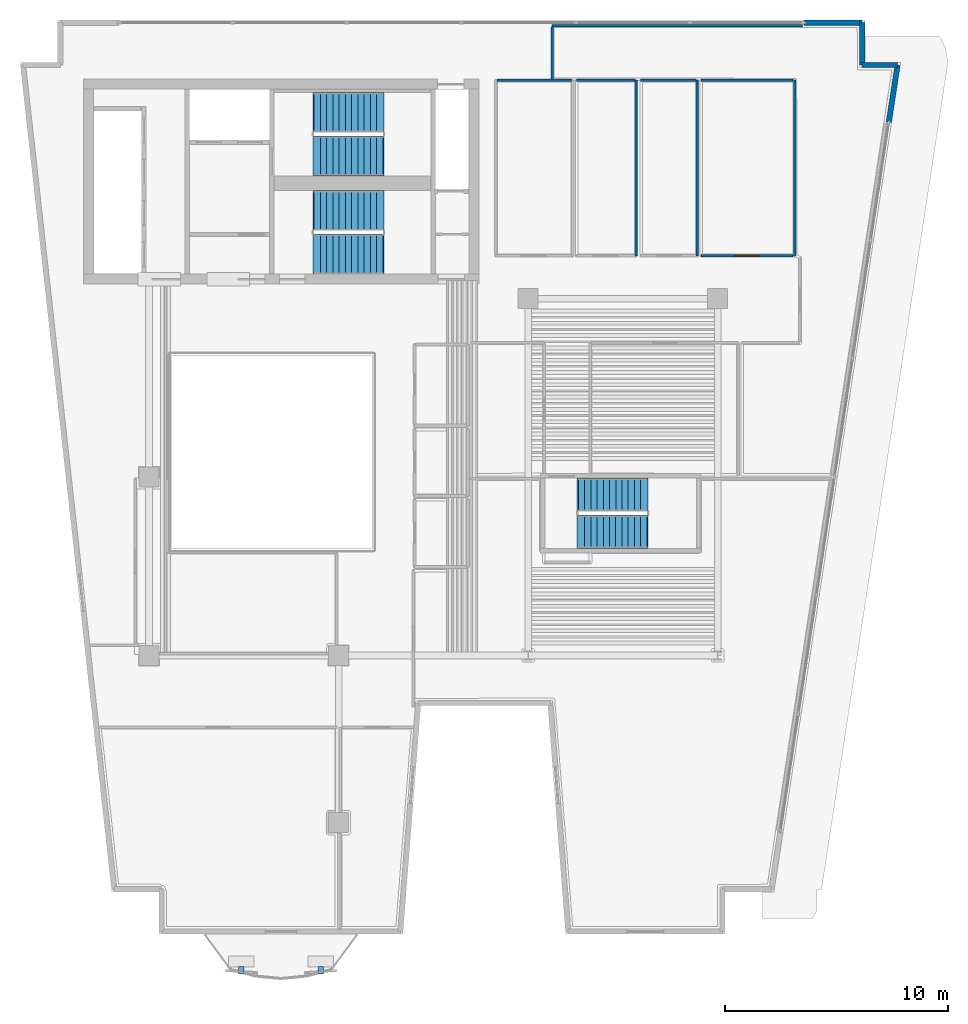
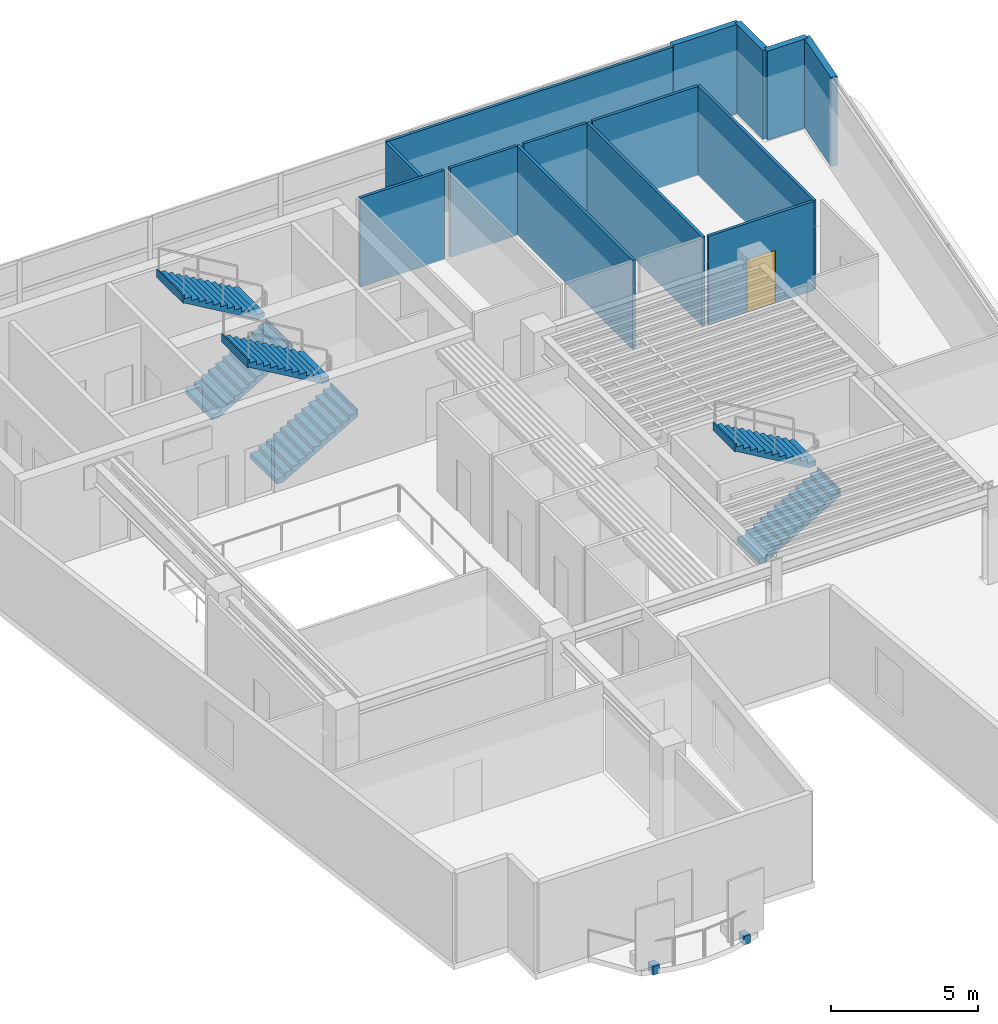
# One storey, part 6 of 8: 14 walls, 6 stair flights, 2 discrete accessories, 1 door, 1 opening, 3 elements without a shape of their own.
"""IFC4 building model written with IfcOpenShell, lengths in metres."""

from ifc_helpers import new_model, si_unit, direction, frame, frame_2d, origin, origin_2d, place, context, subcontext, project, spatial, polyline, rectangle, outline, extrude, material, layer, layer_set, type_object, element, fill, aggregate, save


model = new_model("IFC4")

# Units and contexts
model_context = context("Model", 3, precision=1e-05, world=origin(), true_north=direction((0.0, 1.0)))
body_context = subcontext(model_context, "Body", "Model", "MODEL_VIEW")
ifc_project = project(units=[si_unit("LENGTHUNIT", "METRE"), si_unit("AREAUNIT", "SQUARE_METRE"), si_unit("VOLUMEUNIT", "CUBIC_METRE"), si_unit("PLANEANGLEUNIT", "RADIAN"), si_unit("MASSUNIT", "GRAM", prefix="KILO")], contexts=[model_context])

# Site, building, storey
site_placement = place(None, origin())
site = spatial("IfcSite", under=ifc_project, at=site_placement, CompositionType="ELEMENT")
building_placement = place(site_placement, origin())
building = spatial("IfcBuilding", under=site, at=building_placement, Name="Caeloran Harvest Quay", CompositionType="ELEMENT")
storey_placement = place(building_placement, frame((0.0, 0.0, 235.10009765625)))
storey = spatial("IfcBuildingStorey", under=building, at=storey_placement, Name="L56", CompositionType="ELEMENT", Elevation=235.10009765625)

# Walls
ifc_material_1 = material(Name="Precast concrete C50/60", Category="concrete")
ifc_layer_1 = layer(ifc_material_1, 0.239990234375, Name="Precast concrete C50/60")
ifc_layer_set_1 = layer_set([ifc_layer_1], Name="Precast concrete C50/60")
wall_type_1 = type_object("IfcWallType", Name="ENV-WALL-EW-240", PredefinedType="STANDARD", material=ifc_layer_set_1)
wall_1_placement = place(storey_placement, frame((37.8798828125, 43.3798828125, 0.0), z_axis=(0.0, 0.0, 1.0), x_axis=(1.0, 0.0, 0.0)))
element("IfcWall", 1, at=wall_1_placement, inside=storey, type_object=wall_type_1, Name="L56 Exterior Facade Corner Pier Wall 6B", PredefinedType="STANDARD", context=body_context, shape_type="SweptSolid", body=[
    extrude(rectangle(XDim=2.60009765625, YDim=0.239990234375, at=frame_2d((1.300048828125, 0.0))), origin(), (0.0, 0.0, 1.0), 3.699951171875),
])
wall_2_placement = place(storey_placement, frame((40.47998046875, 43.3798828125, 0.0), z_axis=(0.0, 0.0, 1.0), x_axis=(0.0, -1.0, 0.0)))
element("IfcWall", 2, at=wall_2_placement, inside=storey, type_object=wall_type_1, Name="L56 Exterior Precast Concrete Facade Wall 7", PredefinedType="STANDARD", context=body_context, shape_type="SweptSolid", body=[
    extrude(rectangle(XDim=1.89990234375, YDim=0.239990234375, at=frame_2d((0.949951171875, 0.0))), origin(), (0.0, 0.0, 1.0), 3.699951171875),
])
wall_3_placement = place(storey_placement, frame((40.47998046875, 41.47998046875, 0.0), z_axis=(0.0, 0.0, 1.0), x_axis=(1.0, 0.0, 0.0)))
element("IfcWall", 3, at=wall_3_placement, inside=storey, type_object=wall_type_1, Name="L56 Exterior Precast Concrete Facade Wall 8", PredefinedType="STANDARD", context=body_context, shape_type="SweptSolid", body=[
    extrude(rectangle(XDim=1.590087890625, YDim=0.239990234375, at=frame_2d((0.794921875, 0.0))), origin(), (0.0, 0.0, 1.0), 3.699951171875),
])
wall_4_placement = place(storey_placement, frame((42.070068359375, 41.47998046875, 0.0), z_axis=(0.0, 0.0, 1.0), x_axis=(-0.151090396132, -0.988519950328, 0.0)))
element("IfcWall", 4, at=wall_4_placement, inside=storey, type_object=wall_type_1, Name="L56 Exterior Facade Corner Pier Wall 9A", PredefinedType="STANDARD", context=body_context, shape_type="SweptSolid", body=[
    extrude(rectangle(XDim=2.599853515625, YDim=0.239990234375, at=frame_2d((1.2998046875, 0.0))), origin(), (0.0, 0.0, 1.0), 3.699951171875),
])
ifc_material_2 = material(Name="Single-Stud Acoustic Gypsum Office Partition", Category="gypsum")
ifc_layer_2 = layer(ifc_material_2, 0.112060546875, Name="Single-Stud Acoustic Gypsum Office Partition")
ifc_layer_set_2 = layer_set([ifc_layer_2], Name="Single-Stud Acoustic Gypsum Office Partition")
wall_type_2 = type_object("IfcWallType", Name="INT-WALL-PW-112", PredefinedType="PARTITIONING", material=ifc_layer_set_2)
wall_5_placement = place(storey_placement, frame((24.111083984375, 40.800048828125, 0.0), z_axis=(0.0, 0.0, 1.0), x_axis=(1.0, 0.0, 0.0)))
element("IfcWall", 5, at=wall_5_placement, inside=storey, type_object=wall_type_2, Name="L56 Bioinformatics Briefing Lounge Partition Wall", PredefinedType="PARTITIONING", context=body_context, shape_type="SweptSolid", body=[
    extrude(rectangle(XDim=3.327880859375, YDim=0.112060546875, at=frame_2d((1.6640625, 0.0))), origin(), (0.0, 0.0, 1.0), 3.699951171875),
])
wall_6_placement = place(storey_placement, frame((30.35009765625, 40.800048828125, 0.0), z_axis=(0.0, 0.0, 1.0), x_axis=(0.0, -1.0, 0.0)))
element("IfcWall", 6, at=wall_6_placement, inside=storey, type_object=wall_type_2, Name="L56 Seed Imaging Laboratory Partition Wall", PredefinedType="PARTITIONING", context=body_context, shape_type="SweptSolid", body=[
    extrude(rectangle(XDim=7.880126953125, YDim=0.112060546875, at=frame_2d((3.93994140625, 0.0))), origin(), (0.0, 0.0, 1.0), 3.699951171875),
])
wall_7_placement = place(storey_placement, frame((27.659912109375, 40.800048828125, 0.0), z_axis=(0.0, 0.0, 1.0), x_axis=(1.0, 0.0, 0.0)))
element("IfcWall", 7, at=wall_7_placement, inside=storey, type_object=wall_type_2, Name="L56 Seed Imaging Laboratory Partition Wall", PredefinedType="PARTITIONING", context=body_context, shape_type="SweptSolid", body=[
    extrude(rectangle(XDim=2.629150390625, YDim=0.112060546875, at=frame_2d((1.314453125, 0.0))), origin(), (0.0, 0.0, 1.0), 3.699951171875),
])
wall_8_placement = place(storey_placement, frame((33.090087890625, 40.800048828125, 0.0), z_axis=(0.0, 0.0, 1.0), x_axis=(0.0, -1.0, 0.0)))
element("IfcWall", 8, at=wall_8_placement, inside=storey, type_object=wall_type_2, Name="L56 Genomics Seminar West Room Partition Wall", PredefinedType="PARTITIONING", context=body_context, shape_type="SweptSolid", body=[
    extrude(rectangle(XDim=7.880126953125, YDim=0.112060546875, at=frame_2d((3.93994140625, 0.0))), origin(), (0.0, 0.0, 1.0), 3.699951171875),
])
wall_9_placement = place(storey_placement, frame((30.550048828125, 40.800048828125, 0.0), z_axis=(0.0, 0.0, 1.0), x_axis=(1.0, 0.0, 0.0)))
element("IfcWall", 9, at=wall_9_placement, inside=storey, type_object=wall_type_2, Name="L56 Genomics Seminar West Room Partition Wall", PredefinedType="PARTITIONING", context=body_context, shape_type="SweptSolid", body=[
    extrude(rectangle(XDim=2.47900390625, YDim=0.112060546875, at=frame_2d((1.239501953125, 0.0))), origin(), (0.0, 0.0, 1.0), 3.699951171875),
])
wall_10_placement = place(storey_placement, frame((37.449951171875, 40.800048828125, 0.0), z_axis=(0.0, 0.0, 1.0), x_axis=(0.0, -1.0, 0.0)))
element("IfcWall", 10, at=wall_10_placement, inside=storey, type_object=wall_type_2, Name="L56 Executive Archive East Studio Partition Wall", PredefinedType="PARTITIONING", context=body_context, shape_type="SweptSolid", body=[
    extrude(rectangle(XDim=7.880126953125, YDim=0.112060546875, at=frame_2d((3.93994140625, 0.0))), origin(), (0.0, 0.0, 1.0), 3.699951171875),
])

# Wall, opening, door
wall_11_placement = place(storey_placement, frame((37.388916015625, 32.919921875, 0.0), z_axis=(0.0, 0.0, 1.0), x_axis=(-1.0, 0.0, 0.0)))
wall_11 = element("IfcWall", 11, at=wall_11_placement, inside=storey, type_object=wall_type_2, Name="L56 Executive Archive East Studio Partition Wall", PredefinedType="PARTITIONING", context=body_context, shape_type="SweptSolid", body=[
    extrude(rectangle(XDim=4.138916015625, YDim=0.112060546875, at=frame_2d((2.0693359375, 0.0))), origin(), (0.0, 0.0, 1.0), 3.699951171875),
])
opening_placement = place(wall_11_placement, frame((1.51953125, 0.0, 0.0)))
opening = element("IfcOpeningElement", 12, at=opening_placement, cuts=wall_11, Name="Opening ID-04", PredefinedType="OPENING", context=body_context, shape_type="SweptSolid", body=[
    extrude(rectangle(XDim=1.10009765625, YDim=2.199951171875, at=frame_2d((0.550048828125, 1.10009765625))), frame((0.0, 0.06591796875, 0.0), z_axis=(0.0, -1.0, 0.0), x_axis=(1.0, 0.0, 0.0)), (0.0, 0.0, 1.0), 0.132080078125),
])
ifc_material_3 = material(Name="Acoustic Walnut Veneer Executive Door", Category="wood")
door_type = type_object("IfcDoorType", Name="INTDOOR-ID-04", OperationType="NOTDEFINED", PredefinedType="DOOR", material=ifc_material_3)
door_placement = place(opening_placement, origin())
door = element("IfcDoor", 13, at=door_placement, inside=storey, type_object=door_type, Name="L56 Executive Archive East Studio Access Door", OperationType="SINGLE_SWING_RIGHT", OverallHeight=2.199951171875, OverallWidth=1.10009765625, PredefinedType="DOOR", context=body_context, shape_type="SweptSolid", body=[
    extrude(rectangle(XDim=1.10009765625, YDim=2.199951171875, at=frame_2d((0.550048828125, 1.10009765625))), frame((0.0, 0.02490234375, 0.0), z_axis=(0.0, -1.0, 0.0), x_axis=(1.0, 0.0, 0.0)), (0.0, 0.0, 1.0), 0.050048828125),
])
fill(opening, door)

# Walls
wall_12_placement = place(storey_placement, frame((33.25, 40.800048828125, 0.0), z_axis=(0.0, 0.0, 1.0), x_axis=(1.0, 0.0, 0.0)))
element("IfcWall", 14, at=wall_12_placement, inside=storey, type_object=wall_type_2, Name="L56 Executive Archive East Studio Partition Wall", PredefinedType="PARTITIONING", context=body_context, shape_type="SweptSolid", body=[
    extrude(rectangle(XDim=4.138916015625, YDim=0.112060546875, at=frame_2d((2.0693359375, 0.0))), origin(), (0.0, 0.0, 1.0), 3.699951171875),
])
wall_13_placement = place(storey_placement, frame((26.580078125, 43.239990234375, 0.0), z_axis=(0.0, 0.0, 1.0), x_axis=(1.0, 0.0, 0.0)))
element("IfcWall", 15, at=wall_13_placement, inside=storey, type_object=wall_type_2, Name="Sawtooth Terrace Design Studio Office 7 Partition Wall", PredefinedType="PARTITIONING", context=body_context, shape_type="SweptSolid", body=[
    extrude(rectangle(XDim=11.23486328125, YDim=0.112060546875, at=frame_2d((5.617431640625, 0.0))), origin(), (0.0, 0.0, 1.0), 3.699951171875),
])
wall_14_placement = place(storey_placement, frame((26.580078125, 40.861083984375, 0.0), z_axis=(0.0, 0.0, 1.0), x_axis=(0.0, 1.0, 0.0)))
element("IfcWall", 16, at=wall_14_placement, inside=storey, type_object=wall_type_2, Name="Sawtooth Terrace Design Studio Office 7 Partition Wall", PredefinedType="PARTITIONING", context=body_context, shape_type="SweptSolid", body=[
    extrude(rectangle(XDim=2.31787109375, YDim=0.112060546875, at=frame_2d((1.158935546875, 0.0))), origin(), (0.0, 0.0, 1.0), 3.699951171875),
])

# Stair, stair flights
ifc_material_4 = material(Name="Concrete C50/60", Category="concrete")
stair_type_1 = type_object("IfcStairType", Name="STAIR-STC-180", PredefinedType="HALF_TURN_STAIR", material=ifc_material_4)
stair_1_placement = place(storey_placement, origin())
stair_1 = element("IfcStair", 17, at=stair_1_placement, inside=storey, type_object=stair_type_1, Name="L56 Core Pressurized Exit Stair ST-C1", PredefinedType="HALF_TURN_STAIR")
stair_flight_type_1 = type_object("IfcStairFlightType", Name="FLIGHT-STC-180", PredefinedType="STRAIGHT", material=ifc_material_4)
stair_flight_1_placement = place(storey_placement, frame((15.89990234375, 37.39990234375, 0.0), z_axis=(0.0, 0.0, 1.0), x_axis=(1.0, 0.0, 0.0)))
stair_flight_1 = element("IfcStairFlight", 18, at=stair_flight_1_placement, type_object=stair_flight_type_1, Name="ST-C1 flight 1", NumberOfRisers=12, NumberOfTreads=11, PredefinedType="STRAIGHT", RiserHeight=0.164583333, TreadLength=0.28, context=body_context, shape_type="SweptSolid", body=[
    extrude(outline(polyline([(-0.054931640625, -0.044921875), (-0.054931640625, -0.031982421875), (-0.054931640625, -0.018798828125), (-0.054931640625, -0.005615234375), (-0.054931640625, 0.00732421875), (-0.054931640625, 0.0205078125), (-0.054931640625, 0.03369140625), (-0.054931640625, 0.046630859375), (-0.054931640625, 0.059814453125), (-0.054931640625, 0.072998046875), (-0.054931640625, 0.0859375), (-0.054931640625, 0.09912109375), (-0.054931640625, 0.1123046875), (-0.054931640625, 0.125244140625), (-0.054931640625, 0.138427734375), (-0.054931640625, 0.1513671875), (-0.054931640625, 0.16455078125), (0.280029296875, 0.16455078125), (0.280029296875, 0.3291015625), (0.56005859375, 0.3291015625), (0.56005859375, 0.49365234375), (0.840087890625, 0.49365234375), (0.840087890625, 0.658447265625), (1.1201171875, 0.658447265625), (1.1201171875, 0.822998046875), (1.39990234375, 0.822998046875), (1.39990234375, 0.987548828125), (1.679931640625, 0.987548828125), (1.679931640625, 1.152099609375), (1.9599609375, 1.152099609375), (1.9599609375, 1.316650390625), (2.239990234375, 1.316650390625), (2.239990234375, 1.481201171875), (2.52001953125, 1.481201171875), (2.52001953125, 1.645751953125), (2.800048828125, 1.645751953125), (2.800048828125, 1.810302734375), (3.080078125, 1.810302734375), (3.080078125, 1.97509765625), (3.135009765625, 1.97509765625), (3.135009765625, 1.953857421875), (3.135009765625, 1.9326171875), (3.135009765625, 1.91162109375), (3.135009765625, 1.890380859375), (3.135009765625, 1.869140625), (3.135009765625, 1.84814453125), (3.135009765625, 1.826904296875), (3.135009765625, 1.8056640625), (3.135009765625, 1.78466796875), (3.135009765625, 1.763427734375), (3.135009765625, 1.7421875), (3.135009765625, 1.72119140625), (3.135009765625, 1.699951171875), (3.135009765625, 1.678955078125), (3.135009765625, 1.65771484375), (3.135009765625, 1.636474609375), (3.080078125, 1.636474609375), (0.21923828125, -0.044921875), (-0.054931640625, -0.044921875)])), frame((0.0, 0.89990234375, 0.0), z_axis=(0.0, -1.0, 0.0), x_axis=(1.0, 0.0, 0.0)), (0.0, 0.0, 1.0), 1.800048828125),
])
stair_flight_2_placement = place(storey_placement, frame((18.97998046875, 39.35009765625, 1.974853515625), z_axis=(0.0, 0.0, 1.0), x_axis=(-1.0, 0.0, 0.0)))
stair_flight_2 = element("IfcStairFlight", 19, at=stair_flight_2_placement, type_object=stair_flight_type_1, Name="ST-C1 flight 2", NumberOfRisers=12, NumberOfTreads=11, PredefinedType="STRAIGHT", RiserHeight=0.164583333, TreadLength=0.28, context=body_context, shape_type="SweptSolid", body=[
    extrude(outline(polyline([(-0.054931640625, -0.044921875), (-0.054931640625, -0.031982421875), (-0.054931640625, -0.018798828125), (-0.054931640625, -0.005615234375), (-0.054931640625, 0.00732421875), (-0.054931640625, 0.0205078125), (-0.054931640625, 0.03369140625), (-0.054931640625, 0.046630859375), (-0.054931640625, 0.059814453125), (-0.054931640625, 0.072998046875), (-0.054931640625, 0.0859375), (-0.054931640625, 0.09912109375), (-0.054931640625, 0.1123046875), (-0.054931640625, 0.125244140625), (-0.054931640625, 0.138427734375), (-0.054931640625, 0.1513671875), (-0.054931640625, 0.16455078125), (0.280029296875, 0.16455078125), (0.280029296875, 0.3291015625), (0.56005859375, 0.3291015625), (0.56005859375, 0.49365234375), (0.840087890625, 0.49365234375), (0.840087890625, 0.658447265625), (1.1201171875, 0.658447265625), (1.1201171875, 0.822998046875), (1.39990234375, 0.822998046875), (1.39990234375, 0.987548828125), (1.679931640625, 0.987548828125), (1.679931640625, 1.152099609375), (1.9599609375, 1.152099609375), (1.9599609375, 1.316650390625), (2.239990234375, 1.316650390625), (2.239990234375, 1.481201171875), (2.52001953125, 1.481201171875), (2.52001953125, 1.645751953125), (2.800048828125, 1.645751953125), (2.800048828125, 1.810302734375), (3.080078125, 1.810302734375), (3.080078125, 1.97509765625), (3.135009765625, 1.97509765625), (3.135009765625, 1.953857421875), (3.135009765625, 1.9326171875), (3.135009765625, 1.91162109375), (3.135009765625, 1.890380859375), (3.135009765625, 1.869140625), (3.135009765625, 1.84814453125), (3.135009765625, 1.826904296875), (3.135009765625, 1.8056640625), (3.135009765625, 1.78466796875), (3.135009765625, 1.763427734375), (3.135009765625, 1.7421875), (3.135009765625, 1.72119140625), (3.135009765625, 1.699951171875), (3.135009765625, 1.678955078125), (3.135009765625, 1.65771484375), (3.135009765625, 1.636474609375), (3.080078125, 1.636474609375), (0.21923828125, -0.044921875), (-0.054931640625, -0.044921875)])), frame((0.0, 0.89990234375, 0.0), z_axis=(0.0, -1.0, 0.0), x_axis=(1.0, 0.0, 0.0)), (0.0, 0.0, 1.0), 1.800048828125),
])
aggregate(stair_1, [stair_flight_1, stair_flight_2])

stair_2_placement = place(storey_placement, origin())
stair_2 = element("IfcStair", 20, at=stair_2_placement, inside=storey, type_object=stair_type_1, Name="L56 Core Pressurized Exit Stair ST-C2", PredefinedType="HALF_TURN_STAIR")
stair_flight_3_placement = place(storey_placement, frame((15.89990234375, 33.0, 0.0), z_axis=(0.0, 0.0, 1.0), x_axis=(1.0, 0.0, 0.0)))
stair_flight_3 = element("IfcStairFlight", 21, at=stair_flight_3_placement, type_object=stair_flight_type_1, Name="ST-C2 flight 1", NumberOfRisers=12, NumberOfTreads=11, PredefinedType="STRAIGHT", RiserHeight=0.164583333, TreadLength=0.28, context=body_context, shape_type="SweptSolid", body=[
    extrude(outline(polyline([(-0.054931640625, -0.044921875), (-0.054931640625, -0.031982421875), (-0.054931640625, -0.018798828125), (-0.054931640625, -0.005615234375), (-0.054931640625, 0.00732421875), (-0.054931640625, 0.0205078125), (-0.054931640625, 0.03369140625), (-0.054931640625, 0.046630859375), (-0.054931640625, 0.059814453125), (-0.054931640625, 0.072998046875), (-0.054931640625, 0.0859375), (-0.054931640625, 0.09912109375), (-0.054931640625, 0.1123046875), (-0.054931640625, 0.125244140625), (-0.054931640625, 0.138427734375), (-0.054931640625, 0.1513671875), (-0.054931640625, 0.16455078125), (0.280029296875, 0.16455078125), (0.280029296875, 0.3291015625), (0.56005859375, 0.3291015625), (0.56005859375, 0.49365234375), (0.840087890625, 0.49365234375), (0.840087890625, 0.658447265625), (1.1201171875, 0.658447265625), (1.1201171875, 0.822998046875), (1.39990234375, 0.822998046875), (1.39990234375, 0.987548828125), (1.679931640625, 0.987548828125), (1.679931640625, 1.152099609375), (1.9599609375, 1.152099609375), (1.9599609375, 1.316650390625), (2.239990234375, 1.316650390625), (2.239990234375, 1.481201171875), (2.52001953125, 1.481201171875), (2.52001953125, 1.645751953125), (2.800048828125, 1.645751953125), (2.800048828125, 1.810302734375), (3.080078125, 1.810302734375), (3.080078125, 1.97509765625), (3.135009765625, 1.97509765625), (3.135009765625, 1.953857421875), (3.135009765625, 1.9326171875), (3.135009765625, 1.91162109375), (3.135009765625, 1.890380859375), (3.135009765625, 1.869140625), (3.135009765625, 1.84814453125), (3.135009765625, 1.826904296875), (3.135009765625, 1.8056640625), (3.135009765625, 1.78466796875), (3.135009765625, 1.763427734375), (3.135009765625, 1.7421875), (3.135009765625, 1.72119140625), (3.135009765625, 1.699951171875), (3.135009765625, 1.678955078125), (3.135009765625, 1.65771484375), (3.135009765625, 1.636474609375), (3.080078125, 1.636474609375), (0.21923828125, -0.044921875), (-0.054931640625, -0.044921875)])), frame((0.0, 0.89990234375, 0.0), z_axis=(0.0, -1.0, 0.0), x_axis=(1.0, 0.0, 0.0)), (0.0, 0.0, 1.0), 1.800048828125),
])
stair_flight_4_placement = place(storey_placement, frame((18.97998046875, 34.949951171875, 1.974853515625), z_axis=(0.0, 0.0, 1.0), x_axis=(-1.0, 0.0, 0.0)))
stair_flight_4 = element("IfcStairFlight", 22, at=stair_flight_4_placement, type_object=stair_flight_type_1, Name="ST-C2 flight 2", NumberOfRisers=12, NumberOfTreads=11, PredefinedType="STRAIGHT", RiserHeight=0.164583333, TreadLength=0.28, context=body_context, shape_type="SweptSolid", body=[
    extrude(outline(polyline([(-0.054931640625, -0.044921875), (-0.054931640625, -0.031982421875), (-0.054931640625, -0.018798828125), (-0.054931640625, -0.005615234375), (-0.054931640625, 0.00732421875), (-0.054931640625, 0.0205078125), (-0.054931640625, 0.03369140625), (-0.054931640625, 0.046630859375), (-0.054931640625, 0.059814453125), (-0.054931640625, 0.072998046875), (-0.054931640625, 0.0859375), (-0.054931640625, 0.09912109375), (-0.054931640625, 0.1123046875), (-0.054931640625, 0.125244140625), (-0.054931640625, 0.138427734375), (-0.054931640625, 0.1513671875), (-0.054931640625, 0.16455078125), (0.280029296875, 0.16455078125), (0.280029296875, 0.3291015625), (0.56005859375, 0.3291015625), (0.56005859375, 0.49365234375), (0.840087890625, 0.49365234375), (0.840087890625, 0.658447265625), (1.1201171875, 0.658447265625), (1.1201171875, 0.822998046875), (1.39990234375, 0.822998046875), (1.39990234375, 0.987548828125), (1.679931640625, 0.987548828125), (1.679931640625, 1.152099609375), (1.9599609375, 1.152099609375), (1.9599609375, 1.316650390625), (2.239990234375, 1.316650390625), (2.239990234375, 1.481201171875), (2.52001953125, 1.481201171875), (2.52001953125, 1.645751953125), (2.800048828125, 1.645751953125), (2.800048828125, 1.810302734375), (3.080078125, 1.810302734375), (3.080078125, 1.97509765625), (3.135009765625, 1.97509765625), (3.135009765625, 1.953857421875), (3.135009765625, 1.9326171875), (3.135009765625, 1.91162109375), (3.135009765625, 1.890380859375), (3.135009765625, 1.869140625), (3.135009765625, 1.84814453125), (3.135009765625, 1.826904296875), (3.135009765625, 1.8056640625), (3.135009765625, 1.78466796875), (3.135009765625, 1.763427734375), (3.135009765625, 1.7421875), (3.135009765625, 1.72119140625), (3.135009765625, 1.699951171875), (3.135009765625, 1.678955078125), (3.135009765625, 1.65771484375), (3.135009765625, 1.636474609375), (3.080078125, 1.636474609375), (0.21923828125, -0.044921875), (-0.054931640625, -0.044921875)])), frame((0.0, 0.89990234375, 0.0), z_axis=(0.0, -1.0, 0.0), x_axis=(1.0, 0.0, 0.0)), (0.0, 0.0, 1.0), 1.800048828125),
])
aggregate(stair_2, [stair_flight_3, stair_flight_4])

stair_type_2 = type_object("IfcStairType", Name="STAIR-STW-150", PredefinedType="HALF_TURN_STAIR", material=ifc_material_4)
stair_3_placement = place(storey_placement, origin())
stair_3 = element("IfcStair", 23, at=stair_3_placement, inside=storey, type_object=stair_type_2, Name="L56 East Wing Protected Exit Stair ST-W1", PredefinedType="HALF_TURN_STAIR")
stair_flight_type_2 = type_object("IfcStairFlightType", Name="FLIGHT-STW-150", PredefinedType="STRAIGHT", material=ifc_material_4)
stair_flight_5_placement = place(storey_placement, frame((27.75, 20.550048828125, 0.0), z_axis=(0.0, 0.0, 1.0), x_axis=(1.0, 0.0, 0.0)))
stair_flight_5 = element("IfcStairFlight", 24, at=stair_flight_5_placement, type_object=stair_flight_type_2, Name="ST-W1 flight 1", NumberOfRisers=12, NumberOfTreads=11, PredefinedType="STRAIGHT", RiserHeight=0.164583333, TreadLength=0.28, context=body_context, shape_type="SweptSolid", body=[
    extrude(outline(polyline([(-0.054931640625, -0.044921875), (-0.054931640625, -0.031982421875), (-0.054931640625, -0.018798828125), (-0.054931640625, -0.005615234375), (-0.054931640625, 0.00732421875), (-0.054931640625, 0.0205078125), (-0.054931640625, 0.03369140625), (-0.054931640625, 0.046630859375), (-0.054931640625, 0.059814453125), (-0.054931640625, 0.072998046875), (-0.054931640625, 0.0859375), (-0.054931640625, 0.09912109375), (-0.054931640625, 0.1123046875), (-0.054931640625, 0.125244140625), (-0.054931640625, 0.138427734375), (-0.054931640625, 0.1513671875), (-0.054931640625, 0.16455078125), (0.280029296875, 0.16455078125), (0.280029296875, 0.3291015625), (0.56005859375, 0.3291015625), (0.56005859375, 0.49365234375), (0.840087890625, 0.49365234375), (0.840087890625, 0.658447265625), (1.1201171875, 0.658447265625), (1.1201171875, 0.822998046875), (1.39990234375, 0.822998046875), (1.39990234375, 0.987548828125), (1.679931640625, 0.987548828125), (1.679931640625, 1.152099609375), (1.9599609375, 1.152099609375), (1.9599609375, 1.316650390625), (2.239990234375, 1.316650390625), (2.239990234375, 1.481201171875), (2.52001953125, 1.481201171875), (2.52001953125, 1.645751953125), (2.800048828125, 1.645751953125), (2.800048828125, 1.810302734375), (3.080078125, 1.810302734375), (3.080078125, 1.97509765625), (3.135009765625, 1.97509765625), (3.135009765625, 1.953857421875), (3.135009765625, 1.9326171875), (3.135009765625, 1.91162109375), (3.135009765625, 1.890380859375), (3.135009765625, 1.869140625), (3.135009765625, 1.84814453125), (3.135009765625, 1.826904296875), (3.135009765625, 1.8056640625), (3.135009765625, 1.78466796875), (3.135009765625, 1.763427734375), (3.135009765625, 1.7421875), (3.135009765625, 1.72119140625), (3.135009765625, 1.699951171875), (3.135009765625, 1.678955078125), (3.135009765625, 1.65771484375), (3.135009765625, 1.636474609375), (3.080078125, 1.636474609375), (0.21923828125, -0.044921875), (-0.054931640625, -0.044921875)])), frame((0.0, 0.75, 0.0), z_axis=(0.0, -1.0, 0.0), x_axis=(1.0, 0.0, 0.0)), (0.0, 0.0, 1.0), 1.5),
])
stair_flight_6_placement = place(storey_placement, frame((30.830078125, 22.199951171875, 1.974853515625), z_axis=(0.0, 0.0, 1.0), x_axis=(-1.0, 0.0, 0.0)))
stair_flight_6 = element("IfcStairFlight", 25, at=stair_flight_6_placement, type_object=stair_flight_type_2, Name="ST-W1 flight 2", NumberOfRisers=12, NumberOfTreads=11, PredefinedType="STRAIGHT", RiserHeight=0.164583333, TreadLength=0.28, context=body_context, shape_type="SweptSolid", body=[
    extrude(outline(polyline([(-0.054931640625, -0.044921875), (-0.054931640625, -0.031982421875), (-0.054931640625, -0.018798828125), (-0.054931640625, -0.005615234375), (-0.054931640625, 0.00732421875), (-0.054931640625, 0.0205078125), (-0.054931640625, 0.03369140625), (-0.054931640625, 0.046630859375), (-0.054931640625, 0.059814453125), (-0.054931640625, 0.072998046875), (-0.054931640625, 0.0859375), (-0.054931640625, 0.09912109375), (-0.054931640625, 0.1123046875), (-0.054931640625, 0.125244140625), (-0.054931640625, 0.138427734375), (-0.054931640625, 0.1513671875), (-0.054931640625, 0.16455078125), (0.280029296875, 0.16455078125), (0.280029296875, 0.3291015625), (0.56005859375, 0.3291015625), (0.56005859375, 0.49365234375), (0.840087890625, 0.49365234375), (0.840087890625, 0.658447265625), (1.1201171875, 0.658447265625), (1.1201171875, 0.822998046875), (1.39990234375, 0.822998046875), (1.39990234375, 0.987548828125), (1.679931640625, 0.987548828125), (1.679931640625, 1.152099609375), (1.9599609375, 1.152099609375), (1.9599609375, 1.316650390625), (2.239990234375, 1.316650390625), (2.239990234375, 1.481201171875), (2.52001953125, 1.481201171875), (2.52001953125, 1.645751953125), (2.800048828125, 1.645751953125), (2.800048828125, 1.810302734375), (3.080078125, 1.810302734375), (3.080078125, 1.97509765625), (3.135009765625, 1.97509765625), (3.135009765625, 1.953857421875), (3.135009765625, 1.9326171875), (3.135009765625, 1.91162109375), (3.135009765625, 1.890380859375), (3.135009765625, 1.869140625), (3.135009765625, 1.84814453125), (3.135009765625, 1.826904296875), (3.135009765625, 1.8056640625), (3.135009765625, 1.78466796875), (3.135009765625, 1.763427734375), (3.135009765625, 1.7421875), (3.135009765625, 1.72119140625), (3.135009765625, 1.699951171875), (3.135009765625, 1.678955078125), (3.135009765625, 1.65771484375), (3.135009765625, 1.636474609375), (3.080078125, 1.636474609375), (0.21923828125, -0.044921875), (-0.054931640625, -0.044921875)])), frame((0.0, 0.75, 0.0), z_axis=(0.0, -1.0, 0.0), x_axis=(1.0, 0.0, 0.0)), (0.0, 0.0, 1.0), 1.5),
])
aggregate(stair_3, [stair_flight_5, stair_flight_6])

# Discrete accessories
ifc_material_5 = material(Name="Stainless Steel Grade 316L", Category="steel")
discrete_accessory_type = type_object("IfcDiscreteAccessoryType", Name="BRACKET-SCREEN-SS", PredefinedType="BRACKET", material=ifc_material_5)
for number, where, z_axis, x_axis, name in (
    (26, (16.19775390625, 0.878662109375, -0.22021484375), (0.0, 0.0, 1.0), (1.0, 0.0, 0.0), "L56 Balcony Screen Support Bracket 1"),
    (27, (12.631103515625, 0.878662109375, -0.22021484375), (0.0, 0.0, 1.0), (1.0, 0.0, 0.0), "L56 Balcony Screen Support Bracket 2"),
):
    element("IfcDiscreteAccessory", number, at=place(storey_placement, frame(where, z_axis=z_axis, x_axis=x_axis)), inside=storey, type_object=discrete_accessory_type, Name=name, PredefinedType="BRACKET", context=body_context, shape_type="SweptSolid", body=[
        extrude(rectangle(XDim=0.260009765625, YDim=0.340087890625, at=origin_2d()), origin(), (0.0, 0.0, 1.0), 0.360107421875),
    ])

save(model, "model.ifc")
